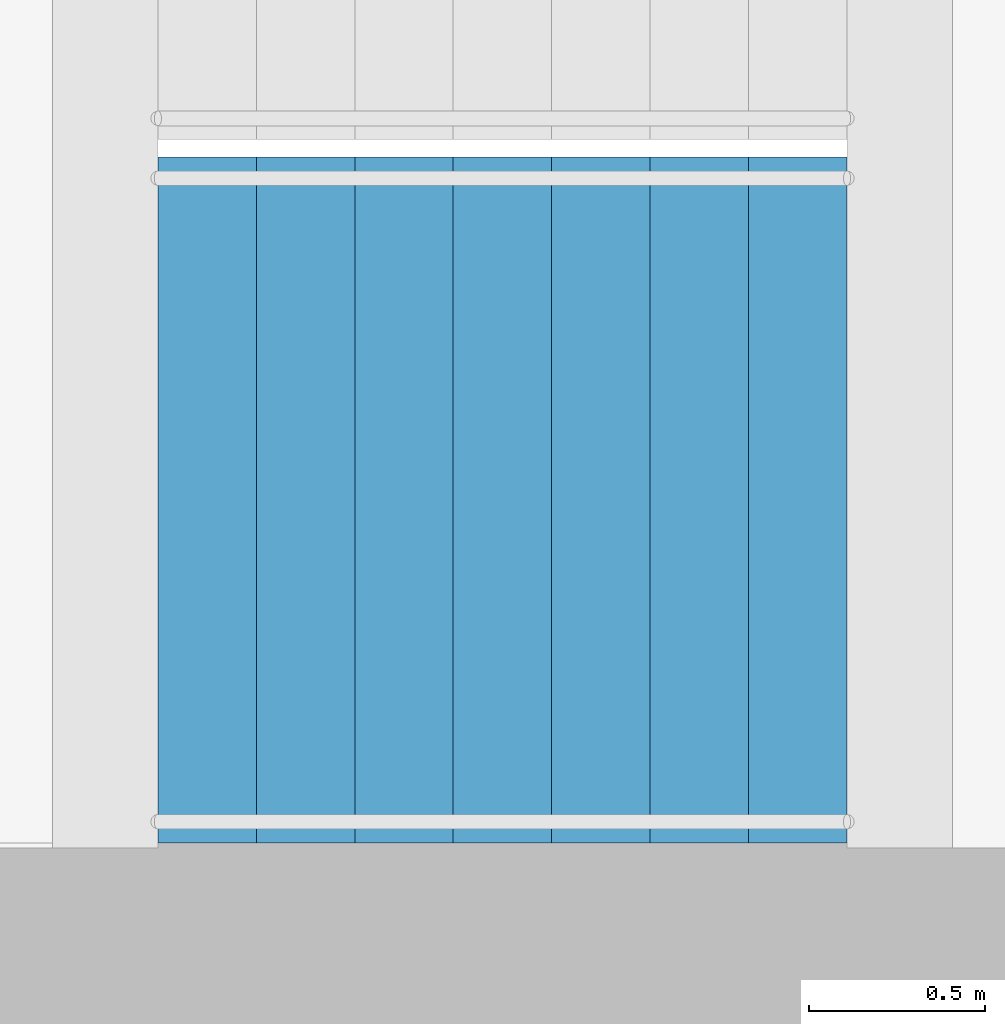
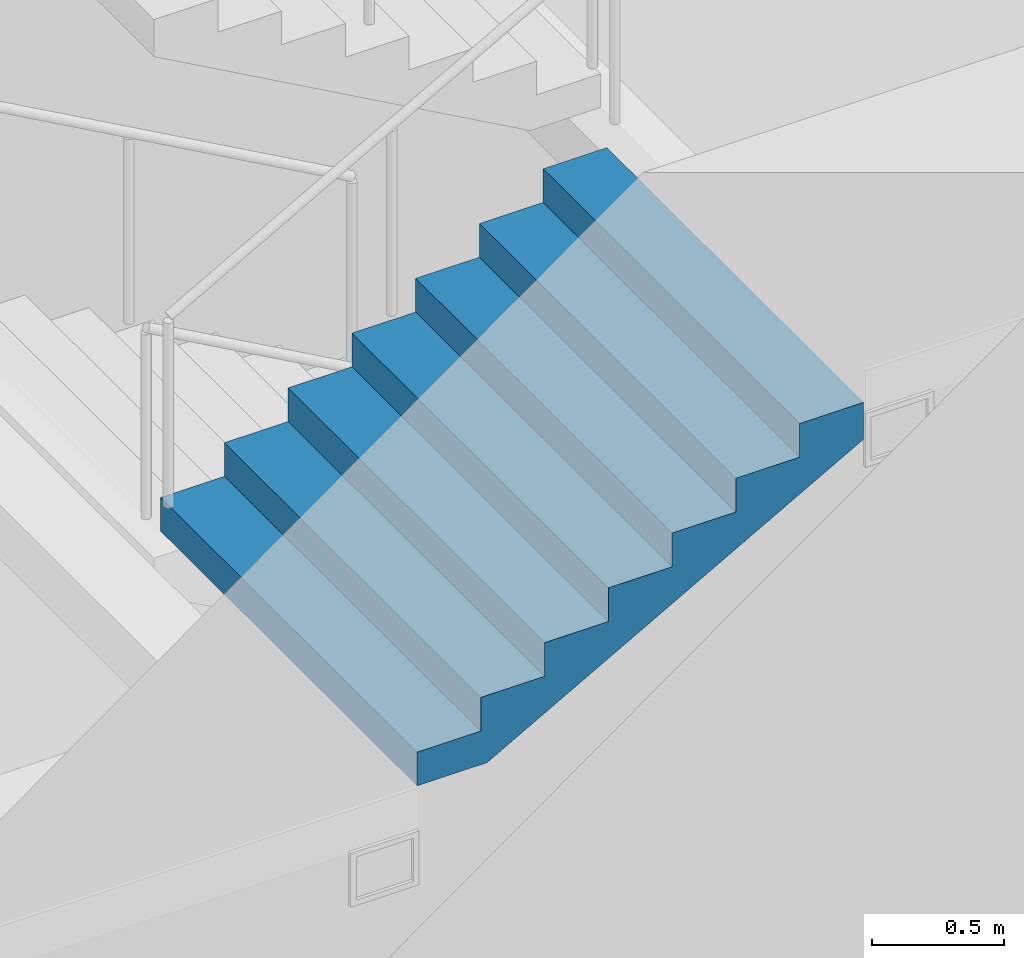
# One storey, part 19 of 26: 1 stair flight, 1 element without a shape of its own.
"""IFC4 building model written with IfcOpenShell, lengths in metres."""

from ifc_helpers import new_model, si_unit, direction, frame, origin, place, context, subcontext, project, spatial, triangles, material, type_object, element, aggregate, save


model = new_model("IFC4")

# Units and contexts
model_context = context("Model", 3, precision=1e-05, world=origin(), true_north=direction((0.0, 1.0)))
body_context = subcontext(model_context, "Body", "Model", "MODEL_VIEW")
ifc_project = project(units=[si_unit("LENGTHUNIT", "METRE"), si_unit("AREAUNIT", "SQUARE_METRE"), si_unit("VOLUMEUNIT", "CUBIC_METRE"), si_unit("PLANEANGLEUNIT", "RADIAN"), si_unit("MASSUNIT", "GRAM", prefix="KILO")], contexts=[model_context])

# Site, building, storey
site_placement = place(None, origin())
site = spatial("IfcSite", under=ifc_project, at=site_placement, CompositionType="ELEMENT")
building_placement = place(site_placement, origin())
building = spatial("IfcBuilding", under=site, at=building_placement, Name="Orbita Commons", CompositionType="ELEMENT")
storey_placement = place(building_placement, frame((0.0, 0.0, 11.0)))
storey = spatial("IfcBuildingStorey", under=building, at=storey_placement, Name="L02", CompositionType="ELEMENT", Elevation=11.0)

# Stair, stair flight
ifc_material_1 = material(Name="Precast concrete C40/50", Category="concrete")
stair_type = type_object("IfcStairType", Name="Exit stair S1 4 flights 8 risers 156", PredefinedType="HALF_TURN_STAIR", material=ifc_material_1)
stair_placement = place(storey_placement, origin())
stair = element("IfcStair", 1, at=stair_placement, inside=storey, type_object=stair_type, Name="Exit stair S1 L02", PredefinedType="HALF_TURN_STAIR")
ifc_material_2 = material(Name="Precast concrete C40/50", Category="concrete")
stair_flight_type = type_object("IfcStairFlightType", Name="Stair flight 8 risers 156 x 280", PredefinedType="STRAIGHT", material=ifc_material_2)
stair_flight_placement = place(storey_placement, frame((20.449951171875, 27.27490234375, 2.5), z_axis=(0.0, 0.0, 1.0), x_axis=(1.0, 0.0, 0.0)))
stair_flight = element("IfcStairFlight", 2, at=stair_flight_placement, type_object=stair_flight_type, Name="S1 flight 3", NumberOfRisers=8, NumberOfTreads=7, PredefinedType="STRAIGHT", RiserHeight=0.15625, TreadLength=0.28, context=body_context, shape_type="Tessellation", body=[
    triangles([(0.0, 0.974976, 0.0), (0.0, 0.974976, 0.019531), (0.0, 0.81248, 0.019531), (0.0, 0.81248, 0.0), (0.0, 0.649984, 0.019531), (0.0, 0.649984, 0.0), (0.0, 0.487488, 0.019531), (0.0, 0.487488, 0.0), (0.0, 0.324992, 0.019531), (0.0, 0.324992, 0.0), (0.0, 0.162496, 0.019531), (0.0, 0.162496, 0.0), (0.0, 0.0, 0.019531), (0.0, 0.0, 0.0), (0.0, -0.162496, 0.019531), (0.0, -0.162496, 0.0), (0.0, -0.324992, 0.019531), (0.0, -0.324992, 0.0), (0.0, -0.487488, 0.019531), (0.0, -0.487488, 0.0), (0.0, -0.649984, 0.019531), (0.0, -0.649984, 0.0), (0.0, -0.81248, 0.019531), (0.0, -0.81248, 0.0), (0.0, -0.974976, 0.019531), (0.0, -0.974976, 0.0), (0.0, 0.974976, 0.039062), (0.0, 0.81248, 0.039062), (0.0, 0.649984, 0.039062), (0.0, 0.487488, 0.039062), (0.0, 0.324992, 0.039062), (0.0, 0.162496, 0.039062), (0.0, 0.0, 0.039062), (0.0, -0.162496, 0.039062), (0.0, -0.324992, 0.039062), (0.0, -0.487488, 0.039062), (0.0, -0.649984, 0.039062), (0.0, -0.81248, 0.039062), (0.0, -0.974976, 0.039062), (0.0, 0.974976, 0.058594), (0.0, 0.81248, 0.058594), (0.0, 0.649984, 0.058594), (0.0, 0.487488, 0.058594), (0.0, 0.324992, 0.058594), (0.0, 0.162496, 0.058594), (0.0, 0.0, 0.058594), (0.0, -0.162496, 0.058594), (0.0, -0.324992, 0.058594), (0.0, -0.487488, 0.058594), (0.0, -0.649984, 0.058594), (0.0, -0.81248, 0.058594), (0.0, -0.974976, 0.058594), (0.0, 0.974976, 0.078125), (0.0, 0.81248, 0.078125), (0.0, 0.649984, 0.078125), (0.0, 0.487488, 0.078125), (0.0, 0.324992, 0.078125), (0.0, 0.162496, 0.078125), (0.0, 0.0, 0.078125), (0.0, -0.162496, 0.078125), (0.0, -0.324992, 0.078125), (0.0, -0.487488, 0.078125), (0.0, -0.649984, 0.078125), (0.0, -0.81248, 0.078125), (0.0, -0.974976, 0.078125), (0.0, 0.974976, 0.097656), (0.0, 0.81248, 0.097656), (0.0, 0.649984, 0.097656), (0.0, 0.487488, 0.097656), (0.0, 0.324992, 0.097656), (0.0, 0.162496, 0.097656), (0.0, 0.0, 0.097656), (0.0, -0.162496, 0.097656), (0.0, -0.324992, 0.097656), (0.0, -0.487488, 0.097656), (0.0, -0.649984, 0.097656), (0.0, -0.81248, 0.097656), (0.0, -0.974976, 0.097656), (0.0, 0.974976, 0.117188), (0.0, 0.81248, 0.117188), (0.0, 0.649984, 0.117188), (0.0, 0.487488, 0.117188), (0.0, 0.324992, 0.117188), (0.0, 0.162496, 0.117188), (0.0, 0.0, 0.117188), (0.0, -0.162496, 0.117188), (0.0, -0.324992, 0.117188), (0.0, -0.487488, 0.117188), (0.0, -0.649984, 0.117188), (0.0, -0.81248, 0.117188), (0.0, -0.974976, 0.117188), (0.0, 0.974976, 0.136719), (0.0, 0.81248, 0.136719), (0.0, 0.649984, 0.136719), (0.0, 0.487488, 0.136719), (0.0, 0.324992, 0.136719), (0.0, 0.162496, 0.136719), (0.0, 0.0, 0.136719), (0.0, -0.162496, 0.136719), (0.0, -0.324992, 0.136719), (0.0, -0.487488, 0.136719), (0.0, -0.649984, 0.136719), (0.0, -0.81248, 0.136719), (0.0, -0.974976, 0.136719), (0.0, 0.974976, 0.15625), (0.0, 0.81248, 0.15625), (0.0, 0.649984, 0.15625), (0.0, 0.487488, 0.15625), (0.0, 0.324992, 0.15625), (0.0, 0.162496, 0.15625), (0.0, 0.0, 0.15625), (0.0, -0.162496, 0.15625), (0.0, -0.324992, 0.15625), (0.0, -0.487488, 0.15625), (0.0, -0.649984, 0.15625), (0.0, -0.81248, 0.15625), (0.0, -0.974976, 0.15625), (0.28, 0.974976, 0.15625), (0.28, 0.81248, 0.15625), (0.28, 0.649984, 0.15625), (0.28, 0.487488, 0.15625), (0.28, 0.324992, 0.15625), (0.28, 0.162496, 0.15625), (0.28, 0.0, 0.15625), (0.28, -0.162496, 0.15625), (0.28, -0.324992, 0.15625), (0.28, -0.487488, 0.15625), (0.28, -0.649984, 0.15625), (0.28, -0.81248, 0.15625), (0.28, -0.974976, 0.15625), (0.28, 0.974976, 0.3125), (0.28, 0.81248, 0.3125), (0.28, 0.649984, 0.3125), (0.28, 0.487488, 0.3125), (0.28, 0.324992, 0.3125), (0.28, 0.162496, 0.3125), (0.28, 0.0, 0.3125), (0.28, -0.162496, 0.3125), (0.28, -0.324992, 0.3125), (0.28, -0.487488, 0.3125), (0.28, -0.649984, 0.3125), (0.28, -0.81248, 0.3125), (0.28, -0.974976, 0.3125), (0.56, 0.974976, 0.3125), (0.56, 0.81248, 0.3125), (0.56, 0.649984, 0.3125), (0.56, 0.487488, 0.3125), (0.56, 0.324992, 0.3125), (0.56, 0.162496, 0.3125), (0.56, 0.0, 0.3125), (0.56, -0.162496, 0.3125), (0.56, -0.324992, 0.3125), (0.56, -0.487488, 0.3125), (0.56, -0.649984, 0.3125), (0.56, -0.81248, 0.3125), (0.56, -0.974976, 0.3125), (0.56, 0.974976, 0.46875), (0.56, 0.81248, 0.46875), (0.56, 0.649984, 0.46875), (0.56, 0.487488, 0.46875), (0.56, 0.324992, 0.46875), (0.56, 0.162496, 0.46875), (0.56, 0.0, 0.46875), (0.56, -0.162496, 0.46875), (0.56, -0.324992, 0.46875), (0.56, -0.487488, 0.46875), (0.56, -0.649984, 0.46875), (0.56, -0.81248, 0.46875), (0.56, -0.974976, 0.46875), (0.84, 0.974976, 0.46875), (0.84, 0.81248, 0.46875), (0.84, 0.649984, 0.46875), (0.84, 0.487488, 0.46875), (0.84, 0.324992, 0.46875), (0.84, 0.162496, 0.46875), (0.84, 0.0, 0.46875), (0.84, -0.162496, 0.46875), (0.84, -0.324992, 0.46875), (0.84, -0.487488, 0.46875), (0.84, -0.649984, 0.46875), (0.84, -0.81248, 0.46875), (0.84, -0.974976, 0.46875), (0.84, 0.974976, 0.625), (0.84, 0.81248, 0.625), (0.84, 0.649984, 0.625), (0.84, 0.487488, 0.625), (0.84, 0.324992, 0.625), (0.84, 0.162496, 0.625), (0.84, 0.0, 0.625), (0.84, -0.162496, 0.625), (0.84, -0.324992, 0.625), (0.84, -0.487488, 0.625), (0.84, -0.649984, 0.625), (0.84, -0.81248, 0.625), (0.84, -0.974976, 0.625), (1.12, 0.974976, 0.625), (1.12, 0.81248, 0.625), (1.12, 0.649984, 0.625), (1.12, 0.487488, 0.625), (1.12, 0.324992, 0.625), (1.12, 0.162496, 0.625), (1.12, 0.0, 0.625), (1.12, -0.162496, 0.625), (1.12, -0.324992, 0.625), (1.12, -0.487488, 0.625), (1.12, -0.649984, 0.625), (1.12, -0.81248, 0.625), (1.12, -0.974976, 0.625), (1.12, 0.974976, 0.78125), (1.12, 0.81248, 0.78125), (1.12, 0.649984, 0.78125), (1.12, 0.487488, 0.78125), (1.12, 0.324992, 0.78125), (1.12, 0.162496, 0.78125), (1.12, 0.0, 0.78125), (1.12, -0.162496, 0.78125), (1.12, -0.324992, 0.78125), (1.12, -0.487488, 0.78125), (1.12, -0.649984, 0.78125), (1.12, -0.81248, 0.78125), (1.12, -0.974976, 0.78125), (1.4, 0.974976, 0.78125), (1.4, 0.81248, 0.78125), (1.4, 0.649984, 0.78125), (1.4, 0.487488, 0.78125), (1.4, 0.324992, 0.78125), (1.4, 0.162496, 0.78125), (1.4, 0.0, 0.78125), (1.4, -0.162496, 0.78125), (1.4, -0.324992, 0.78125), (1.4, -0.487488, 0.78125), (1.4, -0.649984, 0.78125), (1.4, -0.81248, 0.78125), (1.4, -0.974976, 0.78125), (1.4, 0.974976, 0.9375), (1.4, 0.81248, 0.9375), (1.4, 0.649984, 0.9375), (1.4, 0.487488, 0.9375), (1.4, 0.324992, 0.9375), (1.4, 0.162496, 0.9375), (1.4, 0.0, 0.9375), (1.4, -0.162496, 0.9375), (1.4, -0.324992, 0.9375), (1.4, -0.487488, 0.9375), (1.4, -0.649984, 0.9375), (1.4, -0.81248, 0.9375), (1.4, -0.974976, 0.9375), (1.68, 0.974976, 0.9375), (1.68, 0.81248, 0.9375), (1.68, 0.649984, 0.9375), (1.68, 0.487488, 0.9375), (1.68, 0.324992, 0.9375), (1.68, 0.162496, 0.9375), (1.68, 0.0, 0.9375), (1.68, -0.162496, 0.9375), (1.68, -0.324992, 0.9375), (1.68, -0.487488, 0.9375), (1.68, -0.649984, 0.9375), (1.68, -0.81248, 0.9375), (1.68, -0.974976, 0.9375), (1.68, 0.974976, 1.09375), (1.68, 0.81248, 1.09375), (1.68, 0.649984, 1.09375), (1.68, 0.487488, 1.09375), (1.68, 0.324992, 1.09375), (1.68, 0.162496, 1.09375), (1.68, 0.0, 1.09375), (1.68, -0.162496, 1.09375), (1.68, -0.324992, 1.09375), (1.68, -0.487488, 1.09375), (1.68, -0.649984, 1.09375), (1.68, -0.81248, 1.09375), (1.68, -0.974976, 1.09375), (1.96, 0.974976, 1.09375), (1.96, 0.81248, 1.09375), (1.96, 0.649984, 1.09375), (1.96, 0.487488, 1.09375), (1.96, 0.324992, 1.09375), (1.96, 0.162496, 1.09375), (1.96, 0.0, 1.09375), (1.96, -0.162496, 1.09375), (1.96, -0.324992, 1.09375), (1.96, -0.487488, 1.09375), (1.96, -0.649984, 1.09375), (1.96, -0.81248, 1.09375), (1.96, -0.974976, 1.09375), (1.96, 0.974976, 1.072292), (1.96, 0.81248, 1.072292), (1.96, 0.649984, 1.072292), (1.96, 0.487488, 1.072292), (1.96, 0.324992, 1.072292), (1.96, 0.162496, 1.072292), (1.96, 0.0, 1.072292), (1.96, -0.162496, 1.072292), (1.96, -0.324992, 1.072292), (1.96, -0.487488, 1.072292), (1.96, -0.649984, 1.072292), (1.96, -0.81248, 1.072292), (1.96, -0.974976, 1.072292), (1.96, 0.974976, 1.050834), (1.96, 0.81248, 1.050834), (1.96, 0.649984, 1.050834), (1.96, 0.487488, 1.050834), (1.96, 0.324992, 1.050834), (1.96, 0.162496, 1.050834), (1.96, 0.0, 1.050834), (1.96, -0.162496, 1.050834), (1.96, -0.324992, 1.050834), (1.96, -0.487488, 1.050834), (1.96, -0.649984, 1.050834), (1.96, -0.81248, 1.050834), (1.96, -0.974976, 1.050834), (1.96, 0.974976, 1.029376), (1.96, 0.81248, 1.029376), (1.96, 0.649984, 1.029376), (1.96, 0.487488, 1.029376), (1.96, 0.324992, 1.029376), (1.96, 0.162496, 1.029376), (1.96, 0.0, 1.029376), (1.96, -0.162496, 1.029376), (1.96, -0.324992, 1.029376), (1.96, -0.487488, 1.029376), (1.96, -0.649984, 1.029376), (1.96, -0.81248, 1.029376), (1.96, -0.974976, 1.029376), (1.96, 0.974976, 1.007919), (1.96, 0.81248, 1.007919), (1.96, 0.649984, 1.007919), (1.96, 0.487488, 1.007919), (1.96, 0.324992, 1.007919), (1.96, 0.162496, 1.007919), (1.96, 0.0, 1.007919), (1.96, -0.162496, 1.007919), (1.96, -0.324992, 1.007919), (1.96, -0.487488, 1.007919), (1.96, -0.649984, 1.007919), (1.96, -0.81248, 1.007919), (1.96, -0.974976, 1.007919), (1.96, 0.974976, 0.986461), (1.96, 0.81248, 0.986461), (1.96, 0.649984, 0.986461), (1.96, 0.487488, 0.986461), (1.96, 0.324992, 0.986461), (1.96, 0.162496, 0.986461), (1.96, 0.0, 0.986461), (1.96, -0.162496, 0.986461), (1.96, -0.324992, 0.986461), (1.96, -0.487488, 0.986461), (1.96, -0.649984, 0.986461), (1.96, -0.81248, 0.986461), (1.96, -0.974976, 0.986461), (1.96, 0.974976, 0.965003), (1.96, 0.81248, 0.965003), (1.96, 0.649984, 0.965003), (1.96, 0.487488, 0.965003), (1.96, 0.324992, 0.965003), (1.96, 0.162496, 0.965003), (1.96, 0.0, 0.965003), (1.96, -0.162496, 0.965003), (1.96, -0.324992, 0.965003), (1.96, -0.487488, 0.965003), (1.96, -0.649984, 0.965003), (1.96, -0.81248, 0.965003), (1.96, -0.974976, 0.965003), (1.96, 0.974976, 0.943545), (1.96, 0.81248, 0.943545), (1.96, 0.649984, 0.943545), (1.96, 0.487488, 0.943545), (1.96, 0.324992, 0.943545), (1.96, 0.162496, 0.943545), (1.96, 0.0, 0.943545), (1.96, -0.162496, 0.943545), (1.96, -0.324992, 0.943545), (1.96, -0.487488, 0.943545), (1.96, -0.649984, 0.943545), (1.96, -0.81248, 0.943545), (1.96, -0.974976, 0.943545), (1.96, 0.974976, 0.922087), (1.96, 0.81248, 0.922087), (1.96, 0.649984, 0.922087), (1.96, 0.487488, 0.922087), (1.96, 0.324992, 0.922087), (1.96, 0.162496, 0.922087), (1.96, 0.0, 0.922087), (1.96, -0.162496, 0.922087), (1.96, -0.324992, 0.922087), (1.96, -0.487488, 0.922087), (1.96, -0.649984, 0.922087), (1.96, -0.81248, 0.922087), (1.96, -0.974976, 0.922087), (0.30762, 0.974976, 0.0), (0.30762, 0.81248, 0.0), (0.30762, 0.649984, 0.0), (0.30762, 0.487488, 0.0), (0.30762, 0.324992, 0.0), (0.30762, 0.162496, 0.0), (0.30762, 0.0, 0.0), (0.30762, -0.162496, 0.0), (0.30762, -0.324992, 0.0), (0.30762, -0.487488, 0.0), (0.30762, -0.649984, 0.0), (0.30762, -0.81248, 0.0), (0.30762, -0.974976, 0.0)], [[3, 2, 1], [4, 3, 1], [5, 3, 4], [6, 5, 4], [7, 5, 6], [8, 7, 6], [9, 7, 8], [10, 9, 8], [11, 9, 10], [12, 11, 10], [13, 11, 12], [14, 13, 12], [15, 13, 14], [16, 15, 14], [17, 15, 16], [18, 17, 16], [19, 17, 18], [20, 19, 18], [21, 19, 20], [22, 21, 20], [23, 21, 22], [24, 23, 22], [25, 23, 24], [26, 25, 24], [28, 27, 2], [3, 28, 2], [29, 28, 3], [5, 29, 3], [30, 29, 5], [7, 30, 5], [31, 30, 7], [9, 31, 7], [32, 31, 9], [11, 32, 9], [33, 32, 11], [13, 33, 11], [34, 33, 13], [15, 34, 13], [35, 34, 15], [17, 35, 15], [36, 35, 17], [19, 36, 17], [37, 36, 19], [21, 37, 19], [38, 37, 21], [23, 38, 21], [39, 38, 23], [25, 39, 23], [41, 40, 27], [28, 41, 27], [42, 41, 28], [29, 42, 28], [43, 42, 29], [30, 43, 29], [44, 43, 30], [31, 44, 30], [45, 44, 31], [32, 45, 31], [46, 45, 32], [33, 46, 32], [47, 46, 33], [34, 47, 33], [48, 47, 34], [35, 48, 34], [49, 48, 35], [36, 49, 35], [50, 49, 36], [37, 50, 36], [51, 50, 37], [38, 51, 37], [52, 51, 38], [39, 52, 38], [54, 53, 40], [41, 54, 40], [55, 54, 41], [42, 55, 41], [56, 55, 42], [43, 56, 42], [57, 56, 43], [44, 57, 43], [58, 57, 44], [45, 58, 44], [59, 58, 45], [46, 59, 45], [60, 59, 46], [47, 60, 46], [61, 60, 47], [48, 61, 47], [62, 61, 48], [49, 62, 48], [63, 62, 49], [50, 63, 49], [64, 63, 50], [51, 64, 50], [65, 64, 51], [52, 65, 51], [67, 66, 53], [54, 67, 53], [68, 67, 54], [55, 68, 54], [69, 68, 55], [56, 69, 55], [70, 69, 56], [57, 70, 56], [71, 70, 57], [58, 71, 57], [72, 71, 58], [59, 72, 58], [73, 72, 59], [60, 73, 59], [74, 73, 60], [61, 74, 60], [75, 74, 61], [62, 75, 61], [76, 75, 62], [63, 76, 62], [77, 76, 63], [64, 77, 63], [78, 77, 64], [65, 78, 64], [80, 79, 66], [67, 80, 66], [81, 80, 67], [68, 81, 67], [82, 81, 68], [69, 82, 68], [83, 82, 69], [70, 83, 69], [84, 83, 70], [71, 84, 70], [85, 84, 71], [72, 85, 71], [86, 85, 72], [73, 86, 72], [87, 86, 73], [74, 87, 73], [88, 87, 74], [75, 88, 74], [89, 88, 75], [76, 89, 75], [90, 89, 76], [77, 90, 76], [91, 90, 77], [78, 91, 77], [93, 92, 79], [80, 93, 79], [94, 93, 80], [81, 94, 80], [95, 94, 81], [82, 95, 81], [96, 95, 82], [83, 96, 82], [97, 96, 83], [84, 97, 83], [98, 97, 84], [85, 98, 84], [99, 98, 85], [86, 99, 85], [100, 99, 86], [87, 100, 86], [101, 100, 87], [88, 101, 87], [102, 101, 88], [89, 102, 88], [103, 102, 89], [90, 103, 89], [104, 103, 90], [91, 104, 90], [106, 105, 92], [93, 106, 92], [107, 106, 93], [94, 107, 93], [108, 107, 94], [95, 108, 94], [109, 108, 95], [96, 109, 95], [110, 109, 96], [97, 110, 96], [111, 110, 97], [98, 111, 97], [112, 111, 98], [99, 112, 98], [113, 112, 99], [100, 113, 99], [114, 113, 100], [101, 114, 100], [115, 114, 101], [102, 115, 101], [116, 115, 102], [103, 116, 102], [117, 116, 103], [104, 117, 103], [119, 118, 105], [106, 119, 105], [120, 119, 106], [107, 120, 106], [121, 120, 107], [108, 121, 107], [122, 121, 108], [109, 122, 108], [123, 122, 109], [110, 123, 109], [124, 123, 110], [111, 124, 110], [125, 124, 111], [112, 125, 111], [126, 125, 112], [113, 126, 112], [127, 126, 113], [114, 127, 113], [128, 127, 114], [115, 128, 114], [129, 128, 115], [116, 129, 115], [130, 129, 116], [117, 130, 116], [132, 131, 118], [119, 132, 118], [133, 132, 119], [120, 133, 119], [134, 133, 120], [121, 134, 120], [135, 134, 121], [122, 135, 121], [136, 135, 122], [123, 136, 122], [137, 136, 123], [124, 137, 123], [138, 137, 124], [125, 138, 124], [139, 138, 125], [126, 139, 125], [140, 139, 126], [127, 140, 126], [141, 140, 127], [128, 141, 127], [142, 141, 128], [129, 142, 128], [143, 142, 129], [130, 143, 129], [145, 144, 131], [132, 145, 131], [146, 145, 132], [133, 146, 132], [147, 146, 133], [134, 147, 133], [148, 147, 134], [135, 148, 134], [149, 148, 135], [136, 149, 135], [150, 149, 136], [137, 150, 136], [151, 150, 137], [138, 151, 137], [152, 151, 138], [139, 152, 138], [153, 152, 139], [140, 153, 139], [154, 153, 140], [141, 154, 140], [155, 154, 141], [142, 155, 141], [156, 155, 142], [143, 156, 142], [158, 157, 144], [145, 158, 144], [159, 158, 145], [146, 159, 145], [160, 159, 146], [147, 160, 146], [161, 160, 147], [148, 161, 147], [162, 161, 148], [149, 162, 148], [163, 162, 149], [150, 163, 149], [164, 163, 150], [151, 164, 150], [165, 164, 151], [152, 165, 151], [166, 165, 152], [153, 166, 152], [167, 166, 153], [154, 167, 153], [168, 167, 154], [155, 168, 154], [169, 168, 155], [156, 169, 155], [171, 170, 157], [158, 171, 157], [172, 171, 158], [159, 172, 158], [173, 172, 159], [160, 173, 159], [174, 173, 160], [161, 174, 160], [175, 174, 161], [162, 175, 161], [176, 175, 162], [163, 176, 162], [177, 176, 163], [164, 177, 163], [178, 177, 164], [165, 178, 164], [179, 178, 165], [166, 179, 165], [180, 179, 166], [167, 180, 166], [181, 180, 167], [168, 181, 167], [182, 181, 168], [169, 182, 168], [184, 183, 170], [171, 184, 170], [185, 184, 171], [172, 185, 171], [186, 185, 172], [173, 186, 172], [187, 186, 173], [174, 187, 173], [188, 187, 174], [175, 188, 174], [189, 188, 175], [176, 189, 175], [190, 189, 176], [177, 190, 176], [191, 190, 177], [178, 191, 177], [192, 191, 178], [179, 192, 178], [193, 192, 179], [180, 193, 179], [194, 193, 180], [181, 194, 180], [195, 194, 181], [182, 195, 181], [197, 196, 183], [184, 197, 183], [198, 197, 184], [185, 198, 184], [199, 198, 185], [186, 199, 185], [200, 199, 186], [187, 200, 186], [201, 200, 187], [188, 201, 187], [202, 201, 188], [189, 202, 188], [203, 202, 189], [190, 203, 189], [204, 203, 190], [191, 204, 190], [205, 204, 191], [192, 205, 191], [206, 205, 192], [193, 206, 192], [207, 206, 193], [194, 207, 193], [208, 207, 194], [195, 208, 194], [210, 209, 196], [197, 210, 196], [211, 210, 197], [198, 211, 197], [212, 211, 198], [199, 212, 198], [213, 212, 199], [200, 213, 199], [214, 213, 200], [201, 214, 200], [215, 214, 201], [202, 215, 201], [216, 215, 202], [203, 216, 202], [217, 216, 203], [204, 217, 203], [218, 217, 204], [205, 218, 204], [219, 218, 205], [206, 219, 205], [220, 219, 206], [207, 220, 206], [221, 220, 207], [208, 221, 207], [223, 222, 209], [210, 223, 209], [224, 223, 210], [211, 224, 210], [225, 224, 211], [212, 225, 211], [226, 225, 212], [213, 226, 212], [227, 226, 213], [214, 227, 213], [228, 227, 214], [215, 228, 214], [229, 228, 215], [216, 229, 215], [230, 229, 216], [217, 230, 216], [231, 230, 217], [218, 231, 217], [232, 231, 218], [219, 232, 218], [233, 232, 219], [220, 233, 219], [234, 233, 220], [221, 234, 220], [236, 235, 222], [223, 236, 222], [237, 236, 223], [224, 237, 223], [238, 237, 224], [225, 238, 224], [239, 238, 225], [226, 239, 225], [240, 239, 226], [227, 240, 226], [241, 240, 227], [228, 241, 227], [242, 241, 228], [229, 242, 228], [243, 242, 229], [230, 243, 229], [244, 243, 230], [231, 244, 230], [245, 244, 231], [232, 245, 231], [246, 245, 232], [233, 246, 232], [247, 246, 233], [234, 247, 233], [249, 248, 235], [236, 249, 235], [250, 249, 236], [237, 250, 236], [251, 250, 237], [238, 251, 237], [252, 251, 238], [239, 252, 238], [253, 252, 239], [240, 253, 239], [254, 253, 240], [241, 254, 240], [255, 254, 241], [242, 255, 241], [256, 255, 242], [243, 256, 242], [257, 256, 243], [244, 257, 243], [258, 257, 244], [245, 258, 244], [259, 258, 245], [246, 259, 245], [260, 259, 246], [247, 260, 246], [262, 261, 248], [249, 262, 248], [263, 262, 249], [250, 263, 249], [264, 263, 250], [251, 264, 250], [265, 264, 251], [252, 265, 251], [266, 265, 252], [253, 266, 252], [267, 266, 253], [254, 267, 253], [268, 267, 254], [255, 268, 254], [269, 268, 255], [256, 269, 255], [270, 269, 256], [257, 270, 256], [271, 270, 257], [258, 271, 257], [272, 271, 258], [259, 272, 258], [273, 272, 259], [260, 273, 259], [275, 274, 261], [262, 275, 261], [276, 275, 262], [263, 276, 262], [277, 276, 263], [264, 277, 263], [278, 277, 264], [265, 278, 264], [279, 278, 265], [266, 279, 265], [280, 279, 266], [267, 280, 266], [281, 280, 267], [268, 281, 267], [282, 281, 268], [269, 282, 268], [283, 282, 269], [270, 283, 269], [284, 283, 270], [271, 284, 270], [285, 284, 271], [272, 285, 271], [286, 285, 272], [273, 286, 272], [288, 287, 274], [275, 288, 274], [289, 288, 275], [276, 289, 275], [290, 289, 276], [277, 290, 276], [291, 290, 277], [278, 291, 277], [292, 291, 278], [279, 292, 278], [293, 292, 279], [280, 293, 279], [294, 293, 280], [281, 294, 280], [295, 294, 281], [282, 295, 281], [296, 295, 282], [283, 296, 282], [297, 296, 283], [284, 297, 283], [298, 297, 284], [285, 298, 284], [299, 298, 285], [286, 299, 285], [301, 300, 287], [288, 301, 287], [302, 301, 288], [289, 302, 288], [303, 302, 289], [290, 303, 289], [304, 303, 290], [291, 304, 290], [305, 304, 291], [292, 305, 291], [306, 305, 292], [293, 306, 292], [307, 306, 293], [294, 307, 293], [308, 307, 294], [295, 308, 294], [309, 308, 295], [296, 309, 295], [310, 309, 296], [297, 310, 296], [311, 310, 297], [298, 311, 297], [312, 311, 298], [299, 312, 298], [314, 313, 300], [301, 314, 300], [315, 314, 301], [302, 315, 301], [316, 315, 302], [303, 316, 302], [317, 316, 303], [304, 317, 303], [318, 317, 304], [305, 318, 304], [319, 318, 305], [306, 319, 305], [320, 319, 306], [307, 320, 306], [321, 320, 307], [308, 321, 307], [322, 321, 308], [309, 322, 308], [323, 322, 309], [310, 323, 309], [324, 323, 310], [311, 324, 310], [325, 324, 311], [312, 325, 311], [327, 326, 313], [314, 327, 313], [328, 327, 314], [315, 328, 314], [329, 328, 315], [316, 329, 315], [330, 329, 316], [317, 330, 316], [331, 330, 317], [318, 331, 317], [332, 331, 318], [319, 332, 318], [333, 332, 319], [320, 333, 319], [334, 333, 320], [321, 334, 320], [335, 334, 321], [322, 335, 321], [336, 335, 322], [323, 336, 322], [337, 336, 323], [324, 337, 323], [338, 337, 324], [325, 338, 324], [340, 339, 326], [327, 340, 326], [341, 340, 327], [328, 341, 327], [342, 341, 328], [329, 342, 328], [343, 342, 329], [330, 343, 329], [344, 343, 330], [331, 344, 330], [345, 344, 331], [332, 345, 331], [346, 345, 332], [333, 346, 332], [347, 346, 333], [334, 347, 333], [348, 347, 334], [335, 348, 334], [349, 348, 335], [336, 349, 335], [350, 349, 336], [337, 350, 336], [351, 350, 337], [338, 351, 337], [353, 352, 339], [340, 353, 339], [354, 353, 340], [341, 354, 340], [355, 354, 341], [342, 355, 341], [356, 355, 342], [343, 356, 342], [357, 356, 343], [344, 357, 343], [358, 357, 344], [345, 358, 344], [359, 358, 345], [346, 359, 345], [360, 359, 346], [347, 360, 346], [361, 360, 347], [348, 361, 347], [362, 361, 348], [349, 362, 348], [363, 362, 349], [350, 363, 349], [364, 363, 350], [351, 364, 350], [366, 365, 352], [353, 366, 352], [367, 366, 353], [354, 367, 353], [368, 367, 354], [355, 368, 354], [369, 368, 355], [356, 369, 355], [370, 369, 356], [357, 370, 356], [371, 370, 357], [358, 371, 357], [372, 371, 358], [359, 372, 358], [373, 372, 359], [360, 373, 359], [374, 373, 360], [361, 374, 360], [375, 374, 361], [362, 375, 361], [376, 375, 362], [363, 376, 362], [377, 376, 363], [364, 377, 363], [379, 378, 365], [366, 379, 365], [380, 379, 366], [367, 380, 366], [381, 380, 367], [368, 381, 367], [382, 381, 368], [369, 382, 368], [383, 382, 369], [370, 383, 369], [384, 383, 370], [371, 384, 370], [385, 384, 371], [372, 385, 371], [386, 385, 372], [373, 386, 372], [387, 386, 373], [374, 387, 373], [388, 387, 374], [375, 388, 374], [389, 388, 375], [376, 389, 375], [390, 389, 376], [377, 390, 376], [392, 391, 378], [379, 392, 378], [393, 392, 379], [380, 393, 379], [394, 393, 380], [381, 394, 380], [395, 394, 381], [382, 395, 381], [396, 395, 382], [383, 396, 382], [397, 396, 383], [384, 397, 383], [398, 397, 384], [385, 398, 384], [399, 398, 385], [386, 399, 385], [400, 399, 386], [387, 400, 386], [401, 400, 387], [388, 401, 387], [402, 401, 388], [389, 402, 388], [403, 402, 389], [390, 403, 389], [4, 1, 391], [392, 4, 391], [6, 4, 392], [393, 6, 392], [8, 6, 393], [394, 8, 393], [10, 8, 394], [395, 10, 394], [12, 10, 395], [396, 12, 395], [14, 12, 396], [397, 14, 396], [16, 14, 397], [398, 16, 397], [18, 16, 398], [399, 18, 398], [20, 18, 399], [400, 20, 399], [22, 20, 400], [401, 22, 400], [24, 22, 401], [402, 24, 401], [26, 24, 402], [403, 26, 402], [378, 391, 1], [26, 403, 390], [365, 378, 1], [26, 390, 377], [352, 365, 1], [26, 377, 364], [339, 352, 1], [26, 364, 351], [326, 339, 1], [26, 351, 338], [313, 326, 1], [26, 338, 325], [300, 313, 1], [26, 325, 312], [287, 300, 1], [26, 312, 299], [261, 274, 287], [299, 286, 273], [248, 261, 287], [299, 273, 260], [222, 235, 248], [260, 247, 234], [222, 248, 287], [299, 260, 234], [196, 209, 222], [234, 221, 208], [196, 222, 287], [299, 234, 208], [170, 183, 196], [208, 195, 182], [170, 196, 287], [299, 208, 182], [144, 157, 170], [182, 169, 156], [144, 170, 287], [299, 182, 156], [118, 131, 144], [156, 143, 130], [118, 144, 287], [299, 156, 130], [118, 287, 1], [26, 299, 130], [92, 105, 118], [130, 117, 104], [79, 92, 118], [130, 104, 91], [66, 79, 118], [130, 91, 78], [53, 66, 118], [130, 78, 65], [40, 53, 118], [130, 65, 52], [27, 40, 118], [130, 52, 39], [2, 27, 118], [130, 39, 25], [1, 2, 118], [130, 25, 26]], closed=True),
])
aggregate(stair, [stair_flight])

save(model, "model.ifc")
